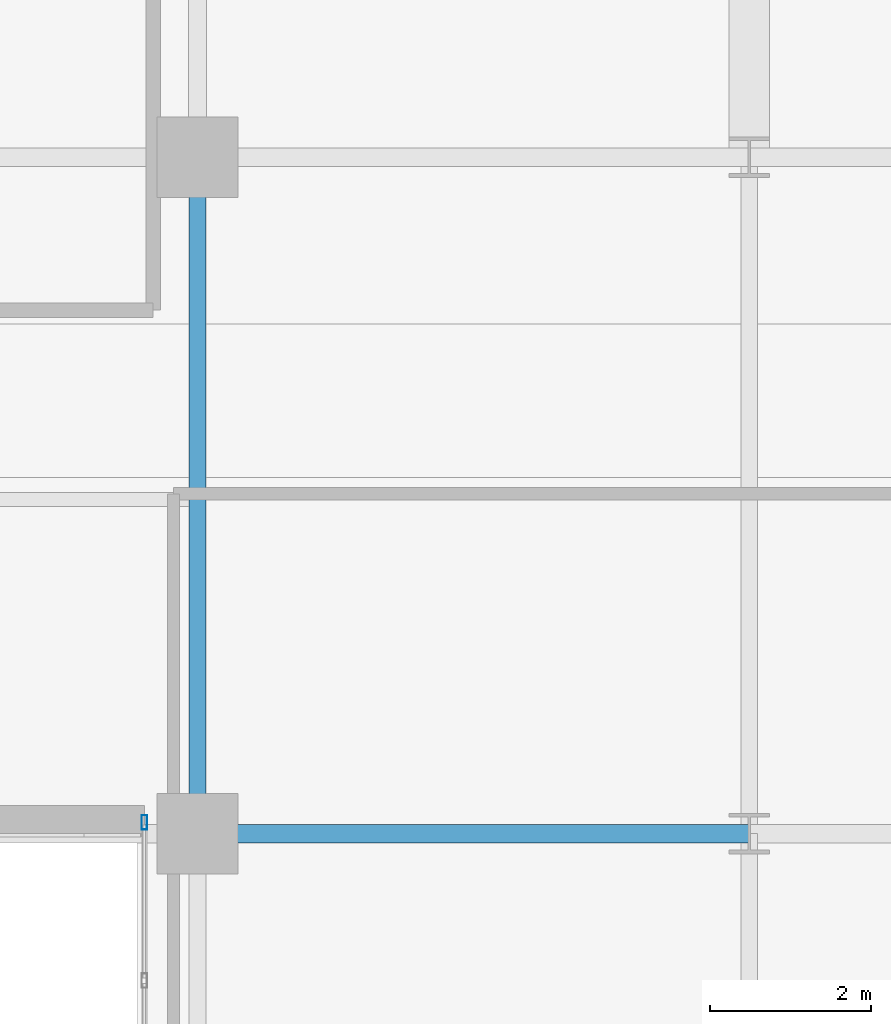
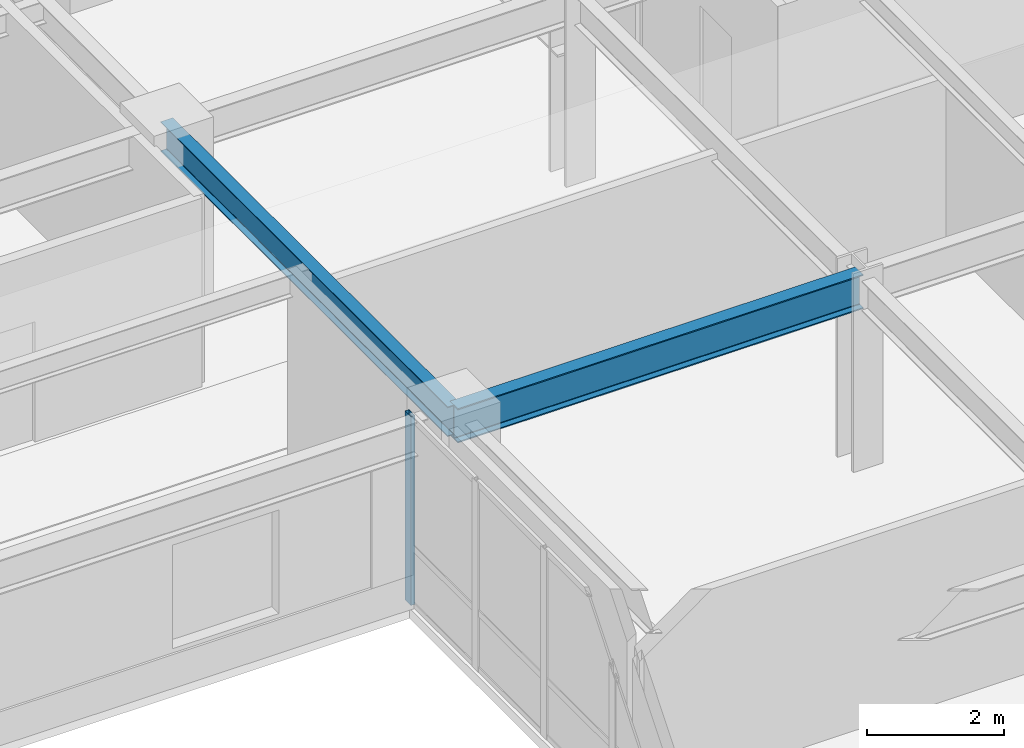
# One storey, part 11 of 25: 2 beams, 1 member, 1 element without a shape of its own.
"""IFC4 building model written with IfcOpenShell, lengths in metres."""

from ifc_helpers import new_model, si_unit, direction, frame, origin, origin_2d, place, context, subcontext, project, spatial, hollow_rectangle, i_section, extrude, source, transform, mapped, material, layer, layer_set, material_profile, profile_set, type_object, type_shapes, element, aggregate, save


model = new_model("IFC4")

# Units and contexts
model_context = context("Model", 3, precision=1e-05, world=origin(), true_north=direction((0.0, 1.0)))
body_context = subcontext(model_context, "Body", "Model", "MODEL_VIEW")
ifc_project = project(units=[si_unit("LENGTHUNIT", "METRE"), si_unit("AREAUNIT", "SQUARE_METRE"), si_unit("VOLUMEUNIT", "CUBIC_METRE"), si_unit("PLANEANGLEUNIT", "RADIAN"), si_unit("MASSUNIT", "GRAM", prefix="KILO")], contexts=[model_context])

# Site, building, storey
site_placement = place(None, origin())
site = spatial("IfcSite", under=ifc_project, at=site_placement, CompositionType="ELEMENT")
building_placement = place(site_placement, origin())
building = spatial("IfcBuilding", under=site, at=building_placement, Name="Tolvann Quenvar Hotel", CompositionType="ELEMENT")
storey_placement = place(building_placement, frame((0.0, 0.0, 60.39990234375)))
storey = spatial("IfcBuildingStorey", under=building, at=storey_placement, Name="L14", CompositionType="ELEMENT", Elevation=60.39990234375)

# Beams
ifc_material_1 = material(Name="Steel Grade 350", Category="steel")
ifc_material_profile_1 = material_profile(ifc_material_1, i_section(OverallWidth=0.22900390625, OverallDepth=0.612060546875, WebThickness=0.011962890625, FlangeThickness=0.01953125, FilletRadius=0.013916015625, at=origin_2d()), Name="610UB125")
ifc_profile_set_1 = profile_set([ifc_material_profile_1], Name="Steel Grade 350")
beam_type_1 = type_object("IfcBeamType", Name="BM_GIRD_610UB125", PredefinedType="BEAM", material=ifc_profile_set_1)
shared_shape_1 = source(origin(), body_context, "Body", "SweptSolid", [
    extrude(i_section(OverallWidth=0.22900390625, OverallDepth=0.612060546875, WebThickness=0.011962890625, FlangeThickness=0.01953125, FilletRadius=0.013916015625, at=origin_2d()), origin(), (0.0, 0.0, 1.0), 6.85009765625),
])
type_shapes(beam_type_1, [shared_shape_1])
beam_1_placement = place(storey_placement, frame((34.949951171875, 16.0, 3.064208984375), z_axis=(1.0, 0.0, 0.0), x_axis=(0.0, 1.0, 0.0)))
element("IfcBeam", 1, at=beam_1_placement, inside=storey, type_object=beam_type_1, Name="BM-L14-EW-4-F4-H4", PredefinedType="BEAM", context=body_context, shape_type="MappedRepresentation", body=[
    mapped(shared_shape_1, transform((0.0, 0.0, 0.0), x_axis=(1.0, 0.0, 0.0), y_axis=(0.0, 1.0, 0.0), z_axis=(0.0, 0.0, 1.0), scale=1.0)),
])
ifc_material_profile_2 = material_profile(ifc_material_1, i_section(OverallWidth=0.208984375, OverallDepth=0.532958984375, WebThickness=0.01025390625, FlangeThickness=0.015625, FilletRadius=0.013916015625, at=origin_2d()), Name="530UB92")
ifc_profile_set_2 = profile_set([ifc_material_profile_2], Name="Steel Grade 350")
beam_type_2 = type_object("IfcBeamType", Name="BM_GIRD_530UB92", PredefinedType="BEAM", material=ifc_profile_set_2)
shared_shape_2 = source(origin(), body_context, "Body", "SweptSolid", [
    extrude(i_section(OverallWidth=0.208984375, OverallDepth=0.532958984375, WebThickness=0.01025390625, FlangeThickness=0.015625, FilletRadius=0.013916015625, at=origin_2d()), origin(), (0.0, 0.0, 1.0), 8.39990234375),
])
type_shapes(beam_type_2, [shared_shape_2])
beam_2_placement = place(storey_placement, frame((34.949951171875, 16.0, 3.103515625), z_axis=(0.0, 1.0, 0.0), x_axis=(-1.0, 0.0, 0.0)))
element("IfcBeam", 2, at=beam_2_placement, inside=storey, type_object=beam_type_2, Name="BM-L14-NS-F4-F5", PredefinedType="BEAM", context=body_context, shape_type="MappedRepresentation", body=[
    mapped(shared_shape_2, transform((0.0, 0.0, 0.0), x_axis=(1.0, 0.0, 0.0), y_axis=(0.0, 1.0, 0.0), z_axis=(0.0, 0.0, 1.0), scale=1.0)),
])

# Curtain wall, member
ifc_material_2 = material(Name="Thermally broken anodised architectural aluminium 6063-T6 and laminated low-E glass", Category="aluminium")
ifc_layer = layer(ifc_material_2, 0.179931640625)
ifc_layer_set = layer_set([ifc_layer], Name="Thermally broken anodised architectural aluminium 6063-T6 and laminated low-E glass")
curtain_wall_type = type_object("IfcCurtainWallType", Name="CW_SYS_SLOT_03", PredefinedType="USERDEFINED", material=ifc_layer_set)
curtain_wall_placement = place(storey_placement, origin())
curtain_wall = element("IfcCurtainWall", 3, at=curtain_wall_placement, inside=storey, type_object=curtain_wall_type, Name="Curtain Wall CW-SLOT-03 (CWR-L14-E07)", ObjectType="UNITISED CURTAIN WALL", PredefinedType="USERDEFINED")
ifc_material_3 = material(Name="Anodised architectural aluminium 6063-T6 framing", Category="aluminium")
ifc_material_profile_3 = material_profile(ifc_material_3, hollow_rectangle(XDim=0.070068359375, YDim=0.179931640625, WallThickness=0.00390625, at=origin_2d()), Name="180x70x4RHS")
ifc_profile_set_3 = profile_set([ifc_material_profile_3], Name="Anodised architectural aluminium 6063-T6 framing")
member_type = type_object("IfcMemberType", Name="CW_MULL_180x70", PredefinedType="MULLION", material=ifc_profile_set_3)
shared_shape_3 = source(origin(), body_context, "Body", "SweptSolid", [
    extrude(hollow_rectangle(XDim=0.070068359375, YDim=0.179931640625, WallThickness=0.00390625, at=origin_2d()), origin(), (0.0, 0.0, 1.0), 3.3701171875),
])
type_shapes(member_type, [shared_shape_3])
member_placement = place(storey_placement, frame((34.2900390625, 16.139892578125, 0.0), z_axis=(0.0, 0.0, 1.0), x_axis=(1.0, 0.0, 0.0)))
member = element("IfcMember", 4, at=member_placement, type_object=member_type, Name="CW-SLOT-03 mullion 1", PredefinedType="MULLION", context=body_context, shape_type="MappedRepresentation", body=[
    mapped(shared_shape_3, transform((0.0, 0.0, 0.0), x_axis=(1.0, 0.0, 0.0), y_axis=(0.0, 1.0, 0.0), z_axis=(0.0, 0.0, 1.0), scale=1.0)),
])
aggregate(curtain_wall, [member])

save(model, "model.ifc")
